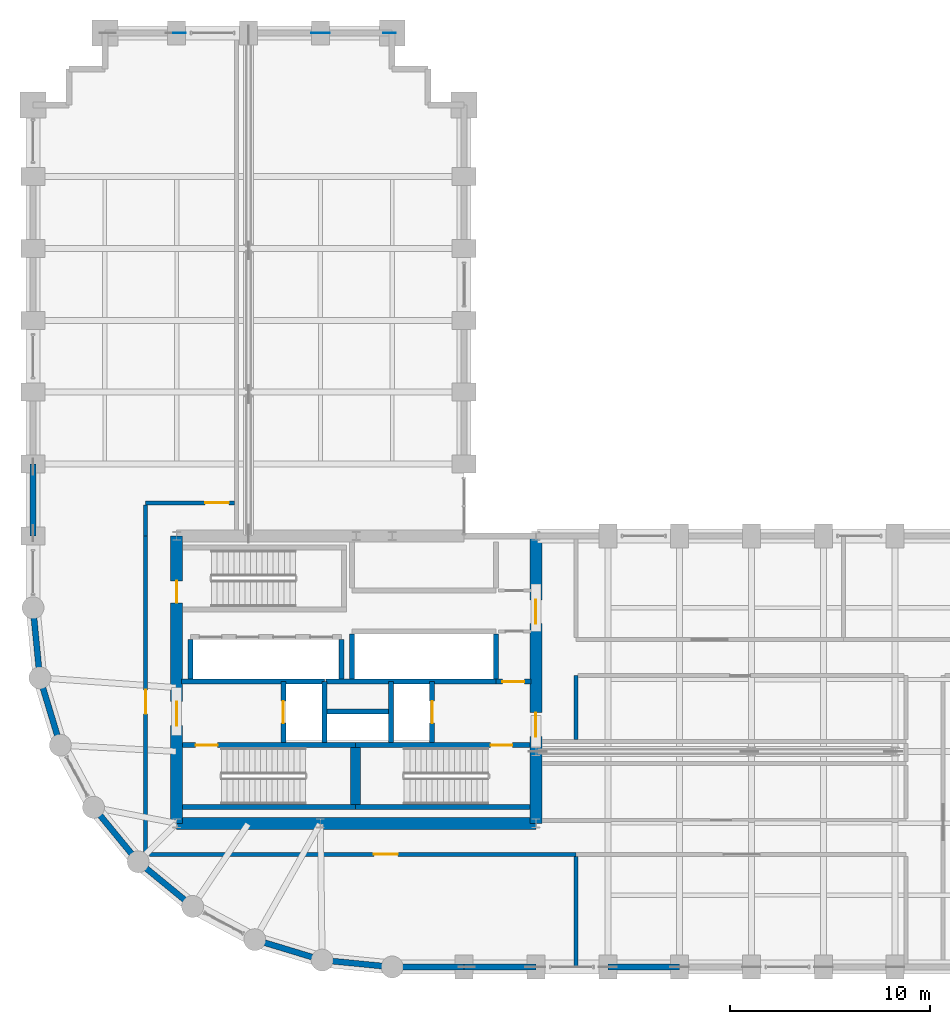
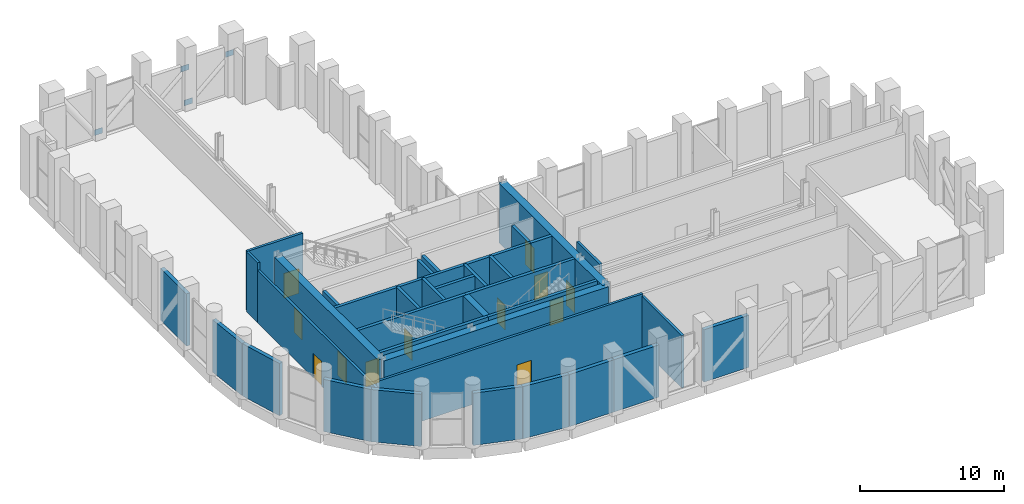
# One storey, part 24 of 27: 36 walls, 12 doors, 4 plates, 12 openings.
"""IFC4 building model written with IfcOpenShell, lengths in metres."""

from ifc_helpers import new_model, si_unit, direction, frame, frame_2d, origin, origin_2d, place, context, subcontext, project, spatial, rectangle, extrude, material, layer, layer_set, type_object, element, fill, save


model = new_model("IFC4")

# Units and contexts
model_context = context("Model", 3, precision=1e-05, world=origin(), true_north=direction((0.0, 1.0)))
body_context = subcontext(model_context, "Body", "Model", "MODEL_VIEW")
ifc_project = project(units=[si_unit("LENGTHUNIT", "METRE"), si_unit("AREAUNIT", "SQUARE_METRE"), si_unit("VOLUMEUNIT", "CUBIC_METRE"), si_unit("PLANEANGLEUNIT", "RADIAN"), si_unit("MASSUNIT", "GRAM", prefix="KILO")], contexts=[model_context])

# Site, building, storey
site_placement = place(None, origin())
site = spatial("IfcSite", under=ifc_project, at=site_placement, CompositionType="ELEMENT")
building_placement = place(site_placement, origin())
building = spatial("IfcBuilding", under=site, at=building_placement, Name="Solnavia Interchange Tower", CompositionType="ELEMENT")
storey_placement = place(building_placement, frame((0.0, 0.0, 74.699951171875)))
storey = spatial("IfcBuildingStorey", under=building, at=storey_placement, Name="L18", CompositionType="ELEMENT", Elevation=74.699951171875)

# Plates
ifc_material_1 = material(Name="Steel S460", Category="steel")
ifc_layer_1 = layer(ifc_material_1, 0.02490234375)
ifc_layer_set_1 = layer_set([ifc_layer_1], Name="Steel S460")
plate_type = type_object("IfcPlateType", Name="Plate-Gusset-640x480x25", PredefinedType="USERDEFINED", material=ifc_layer_set_1)
for number, where, z_axis, x_axis, name in (
    (1, (14.5400390625, 50.39990234375, 0.06005859375), (0.0, 0.0, 1.0), (1.0, 0.0, 0.0), "PLT-L18-GP43 Belt truss gusset plate"),
    (2, (21.4599609375, 50.39990234375, 3.010009765625), (0.0, 0.0, 1.0), (1.0, 0.0, 0.0), "PLT-L18-GP44 Belt truss gusset plate"),
    (3, (21.739990234375, 50.39990234375, 0.06005859375), (0.0, 0.0, 1.0), (1.0, 0.0, 0.0), "PLT-L18-GP45 Belt truss gusset plate"),
    (4, (25.06005859375, 50.39990234375, 3.010009765625), (0.0, 0.0, 1.0), (1.0, 0.0, 0.0), "PLT-L18-GP46 Belt truss gusset plate"),
):
    element("IfcPlate", number, at=place(storey_placement, frame(where, z_axis=z_axis, x_axis=x_axis)), inside=storey, type_object=plate_type, Name=name, ObjectType="GUSSET PLATE", PredefinedType="USERDEFINED", context=body_context, shape_type="SweptSolid", body=[
        extrude(rectangle(XDim=0.639892578125, YDim=0.02490234375, at=origin_2d()), origin(), (0.0, 0.0, 1.0), 0.47998046875),
    ])

# Walls
ifc_material_2 = material(Name="Concrete C40/50", Category="concrete")
ifc_layer_2 = layer(ifc_material_2, 0.300048828125)
ifc_layer_set_2 = layer_set([ifc_layer_2], Name="Concrete C40/50")
wall_type_1 = type_object("IfcWallType", Name="Wall-ExtSpandrel-300", PredefinedType="STANDARD", material=ifc_layer_set_2)
wall_1_placement = place(storey_placement, frame((28.800048828125, 3.60009765625, 0.0), z_axis=(0.0, 0.0, 1.0), x_axis=(-1.0, 0.0, 0.0)))
element("IfcWall", 5, at=wall_1_placement, inside=storey, type_object=wall_type_1, Name="EXW-L18-01 Exterior precast spandrel wall", PredefinedType="STANDARD", context=body_context, shape_type="SweptSolid", body=[
    extrude(rectangle(XDim=3.60009765625, YDim=0.300048828125, at=frame_2d((1.800048828125, 0.0))), origin(), (0.0, 0.0, 1.0), 4.429931640625),
])
wall_2_placement = place(storey_placement, frame((32.39990234375, 3.60009765625, 0.0), z_axis=(0.0, 0.0, 1.0), x_axis=(-1.0, 0.0, 0.0)))
element("IfcWall", 6, at=wall_2_placement, inside=storey, type_object=wall_type_1, Name="EXW-L18-02 Exterior precast spandrel wall", PredefinedType="STANDARD", context=body_context, shape_type="SweptSolid", body=[
    extrude(rectangle(XDim=3.599853515625, YDim=0.300048828125, at=frame_2d((1.7998046875, 0.0))), origin(), (0.0, 0.0, 1.0), 4.429931640625),
])
for number, where, z_axis, x_axis, name in (
    (7, (39.60009765625, 3.60009765625, 0.0), (0.0, 0.0, 1.0), (-1.0, 0.0, 0.0), "EXW-L18-04 Exterior precast spandrel wall"),
    (8, (7.199951171875, 25.199951171875, 0.0), (0.0, 0.0, 1.0), (0.0, 1.0, 0.0), "EXW-L18-53 Exterior precast spandrel wall"),
):
    element("IfcWall", number, at=place(storey_placement, frame(where, z_axis=z_axis, x_axis=x_axis)), inside=storey, type_object=wall_type_1, Name=name, PredefinedType="STANDARD", context=body_context, shape_type="SweptSolid", body=[
        extrude(rectangle(XDim=3.60009765625, YDim=0.300048828125, at=frame_2d((1.800048828125, 0.0))), origin(), (0.0, 0.0, 1.0), 4.429931640625),
    ])
wall_3_placement = place(storey_placement, frame((7.5458984375, 18.087890625, 0.0), z_axis=(0.0, 0.0, 1.0), x_axis=(-0.09802417461, 0.995184033831, 0.0)))
element("IfcWall", 9, at=wall_3_placement, inside=storey, type_object=wall_type_1, Name="EXW-L18-55 Exterior precast spandrel wall", PredefinedType="STANDARD", context=body_context, shape_type="SweptSolid", body=[
    extrude(rectangle(XDim=3.529296875, YDim=0.300048828125, at=frame_2d((1.7646484375, 0.0))), origin(), (0.0, 0.0, 1.0), 4.429931640625),
])
wall_4_placement = place(storey_placement, frame((8.570068359375, 14.7119140625, 0.0), z_axis=(0.0, 0.0, 1.0), x_axis=(-0.290305086481, 0.956934144423, 0.0)))
element("IfcWall", 10, at=wall_4_placement, inside=storey, type_object=wall_type_1, Name="EXW-L18-56 Exterior precast spandrel wall", PredefinedType="STANDARD", context=body_context, shape_type="SweptSolid", body=[
    extrude(rectangle(XDim=3.52783203125, YDim=0.300048828125, at=frame_2d((1.763916015625, 0.0))), origin(), (0.0, 0.0, 1.0), 4.429931640625),
])
for number, where, z_axis, x_axis, name in (
    (11, (12.471923828125, 8.8720703125, 0.0), (0.0, 0.0, 1.0), (-0.634258295121, 0.773121216285, 0.0), "EXW-L18-58 Exterior precast spandrel wall"),
    (12, (15.199951171875, 6.634033203125, 0.0), (0.0, 0.0, 1.0), (-0.773121216285, 0.634258295121, 0.0), "EXW-L18-59 Exterior precast spandrel wall"),
):
    element("IfcWall", number, at=place(storey_placement, frame(where, z_axis=z_axis, x_axis=x_axis)), inside=storey, type_object=wall_type_1, Name=name, PredefinedType="STANDARD", context=body_context, shape_type="SweptSolid", body=[
        extrude(rectangle(XDim=3.528564453125, YDim=0.300048828125, at=frame_2d((1.76416015625, 0.0))), origin(), (0.0, 0.0, 1.0), 4.429931640625),
    ])
wall_5_placement = place(storey_placement, frame((21.68798828125, 3.946044921875, 0.0), z_axis=(0.0, 0.0, 1.0), x_axis=(-0.956953367403, 0.290241714123, 0.0)))
element("IfcWall", 13, at=wall_5_placement, inside=storey, type_object=wall_type_1, Name="EXW-L18-61 Exterior precast spandrel wall", PredefinedType="STANDARD", context=body_context, shape_type="SweptSolid", body=[
    extrude(rectangle(XDim=3.52783203125, YDim=0.300048828125, at=frame_2d((1.763916015625, 0.0))), origin(), (0.0, 0.0, 1.0), 4.429931640625),
])
wall_6_placement = place(storey_placement, frame((25.199951171875, 3.60009765625, 0.0), z_axis=(0.0, 0.0, 1.0), x_axis=(-0.995183369056, 0.098030923459, 0.0)))
element("IfcWall", 14, at=wall_6_placement, inside=storey, type_object=wall_type_1, Name="EXW-L18-62 Exterior precast spandrel wall", PredefinedType="STANDARD", context=body_context, shape_type="SweptSolid", body=[
    extrude(rectangle(XDim=3.529052734375, YDim=0.300048828125, at=frame_2d((1.7646484375, 0.0))), origin(), (0.0, 0.0, 1.0), 4.429931640625),
])

# Wall, opening, door
ifc_layer_3 = layer(ifc_material_2, 0.199951171875)
ifc_layer_set_3 = layer_set([ifc_layer_3], Name="Concrete C40/50")
wall_type_2 = type_object("IfcWallType", Name="Wall-PlantFire-200", PredefinedType="PARTITIONING", material=ifc_layer_set_3)
wall_7_placement = place(storey_placement, frame((12.85009765625, 8.7158203125, 0.0), z_axis=(0.0, 0.0, 1.0), x_axis=(0.0, 1.0, 0.0)))
wall_7 = element("IfcWall", 15, at=wall_7_placement, inside=storey, type_object=wall_type_2, Name="PTW-L18-02 Interior partition wall", PredefinedType="PARTITIONING", context=body_context, shape_type="SweptSolid", body=[
    extrude(rectangle(XDim=16.484130859375, YDim=0.199951171875, at=frame_2d((8.2421875, 0.0))), origin(), (0.0, 0.0, 1.0), 4.429931640625),
])
opening_1_placement = place(wall_7_placement, frame((7.56494140625, 0.0, 0.0)))
opening_1 = element("IfcOpeningElement", 16, at=opening_1_placement, cuts=wall_7, Name="Opening DR-02", PredefinedType="OPENING", context=body_context, shape_type="SweptSolid", body=[
    extrude(rectangle(XDim=1.199951171875, YDim=2.10009765625, at=frame_2d((0.60009765625, 1.050048828125))), frame((0.0, 0.10986328125, 0.0), z_axis=(0.0, -1.0, 0.0), x_axis=(1.0, 0.0, 0.0)), (0.0, 0.0, 1.0), 0.219970703125),
])
ifc_material_3 = material(Name="Steel Fire-Rated Vision-Panel Door", Category="steel")
door_type_1 = type_object("IfcDoorType", Name="Door-LobbyFire-1200x2100", OperationType="SINGLE_SWING_RIGHT", PredefinedType="DOOR", material=ifc_material_3)
door_1_placement = place(opening_1_placement, origin())
door_1 = element("IfcDoor", 17, at=door_1_placement, inside=storey, type_object=door_type_1, Name="DR-L18-01 Interior room door", OperationType="SINGLE_SWING_LEFT", OverallHeight=2.10009765625, OverallWidth=1.199951171875, PredefinedType="DOOR", context=body_context, shape_type="SweptSolid", body=[
    extrude(rectangle(XDim=1.199951171875, YDim=2.10009765625, at=frame_2d((0.60009765625, 1.050048828125))), frame((0.0, 0.02490234375, 0.0), z_axis=(0.0, -1.0, 0.0), x_axis=(1.0, 0.0, 0.0)), (0.0, 0.0, 1.0), 0.050048828125),
])
fill(opening_1, door_1)

wall_8_placement = place(storey_placement, frame((12.85009765625, 26.85009765625, 0.0), z_axis=(0.0, 0.0, 1.0), x_axis=(1.0, 0.0, 0.0)))
wall_8 = element("IfcWall", 18, at=wall_8_placement, inside=storey, type_object=wall_type_2, Name="PTW-L18-03 Interior partition wall", PredefinedType="PARTITIONING", context=body_context, shape_type="SweptSolid", body=[
    extrude(rectangle(XDim=4.44580078125, YDim=0.199951171875, at=frame_2d((2.222900390625, 0.0))), origin(), (0.0, 0.0, 1.0), 5.06494140625),
])
opening_2_placement = place(wall_8_placement, frame((2.969970703125, 0.0, 0.0)))
opening_2 = element("IfcOpeningElement", 19, at=opening_2_placement, cuts=wall_8, Name="Opening DR-02", PredefinedType="OPENING", context=body_context, shape_type="SweptSolid", body=[
    extrude(rectangle(XDim=1.199951171875, YDim=2.10009765625, at=frame_2d((0.60009765625, 1.050048828125))), frame((0.0, 0.10986328125, 0.0), z_axis=(0.0, -1.0, 0.0), x_axis=(1.0, 0.0, 0.0)), (0.0, 0.0, 1.0), 0.219970703125),
])
door_2_placement = place(opening_2_placement, origin())
door_2 = element("IfcDoor", 20, at=door_2_placement, inside=storey, type_object=door_type_1, Name="DR-L18-02 Interior room door", OperationType="SINGLE_SWING_RIGHT", OverallHeight=2.10009765625, OverallWidth=1.199951171875, PredefinedType="DOOR", context=body_context, shape_type="SweptSolid", body=[
    extrude(rectangle(XDim=1.199951171875, YDim=2.10009765625, at=frame_2d((0.60009765625, 1.050048828125))), frame((0.0, 0.02490234375, 0.0), z_axis=(0.0, -1.0, 0.0), x_axis=(1.0, 0.0, 0.0)), (0.0, 0.0, 1.0), 0.050048828125),
])
fill(opening_2, door_2)

# Wall
wall_9_placement = place(storey_placement, frame((12.85009765625, 25.199951171875, 0.0), z_axis=(0.0, 0.0, 1.0), x_axis=(0.0, 1.0, 0.0)))
element("IfcWall", 21, at=wall_9_placement, inside=storey, type_object=wall_type_2, Name="PTW-L18-04 Interior partition wall", PredefinedType="PARTITIONING", context=body_context, shape_type="SweptSolid", body=[
    extrude(rectangle(XDim=1.546142578125, YDim=0.199951171875, at=frame_2d((0.77294921875, 0.0))), origin(), (0.0, 0.0, 1.0), 5.06494140625),
])

# Wall, opening, door
wall_10_placement = place(storey_placement, frame((13.030029296875, 9.25, 0.0), z_axis=(0.0, 0.0, 1.0), x_axis=(1.0, 0.0, 0.0)))
wall_10 = element("IfcWall", 22, at=wall_10_placement, inside=storey, type_object=wall_type_2, Name="PTW-L18-09 Interior partition wall", PredefinedType="PARTITIONING", context=body_context, shape_type="SweptSolid", body=[
    extrude(rectangle(XDim=21.369873046875, YDim=0.199951171875, at=frame_2d((10.68505859375, 0.0))), origin(), (0.0, 0.0, 1.0), 4.610107421875),
])
opening_3_placement = place(wall_10_placement, frame((11.248046875, 0.0, 0.0)))
opening_3 = element("IfcOpeningElement", 23, at=opening_3_placement, cuts=wall_10, Name="Opening DR-02", PredefinedType="OPENING", context=body_context, shape_type="SweptSolid", body=[
    extrude(rectangle(XDim=1.199951171875, YDim=2.10009765625, at=frame_2d((0.60009765625, 1.050048828125))), frame((0.0, 0.10986328125, 0.0), z_axis=(0.0, -1.0, 0.0), x_axis=(1.0, 0.0, 0.0)), (0.0, 0.0, 1.0), 0.219970703125),
])
door_3_placement = place(opening_3_placement, origin())
door_3 = element("IfcDoor", 24, at=door_3_placement, inside=storey, type_object=door_type_1, Name="DR-L18-03 Interior room door", OperationType="SINGLE_SWING_RIGHT", OverallHeight=2.10009765625, OverallWidth=1.199951171875, PredefinedType="DOOR", context=body_context, shape_type="SweptSolid", body=[
    extrude(rectangle(XDim=1.199951171875, YDim=2.10009765625, at=frame_2d((0.60009765625, 1.050048828125))), frame((0.0, 0.02490234375, 0.0), z_axis=(0.0, -1.0, 0.0), x_axis=(1.0, 0.0, 0.0)), (0.0, 0.0, 1.0), 0.050048828125),
])
fill(opening_3, door_3)

# Walls
wall_11_placement = place(storey_placement, frame((34.39990234375, 3.60009765625, 0.0), z_axis=(0.0, 0.0, 1.0), x_axis=(0.0, 1.0, 0.0)))
element("IfcWall", 25, at=wall_11_placement, inside=storey, type_object=wall_type_2, Name="PTW-L18-10 Interior partition wall", PredefinedType="PARTITIONING", context=body_context, shape_type="SweptSolid", body=[
    extrude(rectangle(XDim=5.5458984375, YDim=0.199951171875, at=frame_2d((2.77294921875, 0.0))), origin(), (0.0, 0.0, 1.0), 4.429931640625),
])
wall_12_placement = place(storey_placement, frame((34.39990234375, 15.00390625, 0.0), z_axis=(0.0, 0.0, 1.0), x_axis=(0.0, 1.0, 0.0)))
element("IfcWall", 26, at=wall_12_placement, inside=storey, type_object=wall_type_2, Name="PTW-L18-15 Interior partition wall", PredefinedType="PARTITIONING", context=body_context, shape_type="SweptSolid", body=[
    extrude(rectangle(XDim=3.196044921875, YDim=0.199951171875, at=frame_2d((1.59814453125, 0.0))), origin(), (0.0, 0.0, 1.0), 3.580078125),
])
ifc_layer_4 = layer(ifc_material_2, 0.25)
ifc_layer_set_4 = layer_set([ifc_layer_4], Name="Concrete C40/50")
wall_type_3 = type_object("IfcWallType", Name="Wall-ShaftCore-250", PredefinedType="SHEAR", material=ifc_layer_set_4)
wall_13_placement = place(storey_placement, frame((14.699951171875, 11.625, 0.0), z_axis=(0.0, 0.0, 1.0), x_axis=(1.0, 0.0, 0.0)))
element("IfcWall", 27, at=wall_13_placement, inside=storey, type_object=wall_type_3, Name="SHW-L18-ST1S Core shear wall", PredefinedType="SHEAR", context=body_context, shape_type="SweptSolid", body=[
    extrude(rectangle(XDim=8.650146484375, YDim=0.25, at=frame_2d((4.3251953125, 0.0))), origin(), (0.0, 0.0, 1.0), 5.080078125),
])

# Wall, opening, door
wall_14_placement = place(storey_placement, frame((14.699951171875, 14.715087890625, 0.0), z_axis=(0.0, 0.0, 1.0), x_axis=(1.0, 0.0, 0.0)))
wall_14 = element("IfcWall", 28, at=wall_14_placement, inside=storey, type_object=wall_type_3, Name="SHW-L18-ST1N Core shear wall", PredefinedType="SHEAR", context=body_context, shape_type="SweptSolid", body=[
    extrude(rectangle(XDim=8.650146484375, YDim=0.25, at=frame_2d((4.3251953125, 0.0))), origin(), (0.0, 0.0, 1.0), 5.080078125),
])
opening_4_placement = place(wall_14_placement, frame((0.655029296875, 0.0, 0.0)))
opening_4 = element("IfcOpeningElement", 29, at=opening_4_placement, cuts=wall_14, Name="Opening DR-01", PredefinedType="OPENING", context=body_context, shape_type="SweptSolid", body=[
    extrude(rectangle(XDim=1.10009765625, YDim=2.10009765625, at=frame_2d((0.550048828125, 1.050048828125))), frame((0.0, 0.135009765625, 0.0), z_axis=(0.0, -1.0, 0.0), x_axis=(1.0, 0.0, 0.0)), (0.0, 0.0, 1.0), 0.27001953125),
])
ifc_material_4 = material(Name="Steel Fire-Rated Leaf & Frame", Category="steel")
door_type_2 = type_object("IfcDoorType", Name="Door-StairFire-1100x2100", OperationType="SINGLE_SWING_LEFT", PredefinedType="DOOR", material=ifc_material_4)
door_4_placement = place(opening_4_placement, origin())
door_4 = element("IfcDoor", 30, at=door_4_placement, inside=storey, type_object=door_type_2, Name="DR-L18-ST1 Core fire door", OperationType="SINGLE_SWING_LEFT", OverallHeight=2.10009765625, OverallWidth=1.10009765625, PredefinedType="DOOR", context=body_context, shape_type="SweptSolid", body=[
    extrude(rectangle(XDim=1.10009765625, YDim=2.10009765625, at=frame_2d((0.550048828125, 1.050048828125))), frame((0.0, 0.02490234375, 0.0), z_axis=(0.0, -1.0, 0.0), x_axis=(1.0, 0.0, 0.0)), (0.0, 0.0, 1.0), 0.050048828125),
])
fill(opening_4, door_4)

# Wall
wall_15_placement = place(storey_placement, frame((23.35009765625, 11.625, 0.0), z_axis=(0.0, 0.0, 1.0), x_axis=(1.0, 0.0, 0.0)))
element("IfcWall", 31, at=wall_15_placement, inside=storey, type_object=wall_type_3, Name="SHW-L18-ST2S Core shear wall", PredefinedType="SHEAR", context=body_context, shape_type="SweptSolid", body=[
    extrude(rectangle(XDim=8.75, YDim=0.25, at=frame_2d((4.375, 0.0))), origin(), (0.0, 0.0, 1.0), 5.080078125),
])

# Wall, opening, door
wall_16_placement = place(storey_placement, frame((23.35009765625, 14.715087890625, 0.0), z_axis=(0.0, 0.0, 1.0), x_axis=(1.0, 0.0, 0.0)))
wall_16 = element("IfcWall", 32, at=wall_16_placement, inside=storey, type_object=wall_type_3, Name="SHW-L18-ST2N Core shear wall", PredefinedType="SHEAR", context=body_context, shape_type="SweptSolid", body=[
    extrude(rectangle(XDim=8.75, YDim=0.25, at=frame_2d((4.375, 0.0))), origin(), (0.0, 0.0, 1.0), 5.080078125),
])
opening_5_placement = place(wall_16_placement, frame((6.77490234375, 0.0, 0.0)))
opening_5 = element("IfcOpeningElement", 33, at=opening_5_placement, cuts=wall_16, Name="Opening DR-01", PredefinedType="OPENING", context=body_context, shape_type="SweptSolid", body=[
    extrude(rectangle(XDim=1.10009765625, YDim=2.10009765625, at=frame_2d((0.550048828125, 1.050048828125))), frame((0.0, 0.135009765625, 0.0), z_axis=(0.0, -1.0, 0.0), x_axis=(1.0, 0.0, 0.0)), (0.0, 0.0, 1.0), 0.27001953125),
])
door_5_placement = place(opening_5_placement, origin())
door_5 = element("IfcDoor", 34, at=door_5_placement, inside=storey, type_object=door_type_2, Name="DR-L18-ST2 Core fire door", OperationType="SINGLE_SWING_LEFT", OverallHeight=2.10009765625, OverallWidth=1.10009765625, PredefinedType="DOOR", context=body_context, shape_type="SweptSolid", body=[
    extrude(rectangle(XDim=1.10009765625, YDim=2.10009765625, at=frame_2d((0.550048828125, 1.050048828125))), frame((0.0, 0.02490234375, 0.0), z_axis=(0.0, -1.0, 0.0), x_axis=(1.0, 0.0, 0.0)), (0.0, 0.0, 1.0), 0.050048828125),
])
fill(opening_5, door_5)

# Wall
ifc_layer_5 = layer(ifc_material_2, 0.25)
ifc_layer_set_5 = layer_set([ifc_layer_5], Name="Concrete C40/50")
wall_type_4 = type_object("IfcWallType", Name="Wall-ShaftPart-250", PredefinedType="PARTITIONING", material=ifc_layer_set_5)
wall_17_placement = place(storey_placement, frame((14.64990234375, 17.89990234375, 0.0), z_axis=(0.0, 0.0, 1.0), x_axis=(1.0, 0.0, 0.0)))
element("IfcWall", 35, at=wall_17_placement, inside=storey, type_object=wall_type_4, Name="SHW-L18-FFLW-N Core shaft wall", PredefinedType="PARTITIONING", context=body_context, shape_type="SweptSolid", body=[
    extrude(rectangle(XDim=7.150146484375, YDim=0.25, at=frame_2d((3.5751953125, 0.0))), origin(), (0.0, 0.0, 1.0), 5.06494140625),
])

# Wall, opening, door
wall_18_placement = place(storey_placement, frame((19.75, 14.840087890625, 0.0), z_axis=(0.0, 0.0, 1.0), x_axis=(0.0, 1.0, 0.0)))
wall_18 = element("IfcWall", 36, at=wall_18_placement, inside=storey, type_object=wall_type_4, Name="SHW-L18-FFL1-W Core shaft wall", PredefinedType="PARTITIONING", context=body_context, shape_type="SweptSolid", body=[
    extrude(rectangle(XDim=3.059814453125, YDim=0.25, at=frame_2d((1.52978515625, 0.0))), origin(), (0.0, 0.0, 1.0), 5.06494140625),
])
opening_6_placement = place(wall_18_placement, frame((0.97998046875, 0.0, 0.0)))
opening_6 = element("IfcOpeningElement", 37, at=opening_6_placement, cuts=wall_18, Name="Opening LD-01", PredefinedType="OPENING", context=body_context, shape_type="SweptSolid", body=[
    extrude(rectangle(XDim=1.10009765625, YDim=2.10009765625, at=frame_2d((0.550048828125, 1.050048828125))), frame((0.0, 0.135009765625, 0.0), z_axis=(0.0, -1.0, 0.0), x_axis=(1.0, 0.0, 0.0)), (0.0, 0.0, 1.0), 0.27001953125),
])
ifc_material_5 = material(Name="Brushed Stainless Steel Sliding Door", Category="steel")
door_type_3 = type_object("IfcDoorType", Name="Door-LiftLanding-1100x2100", OperationType="SLIDING_TO_LEFT", PredefinedType="DOOR", material=ifc_material_5)
door_6_placement = place(opening_6_placement, origin())
door_6 = element("IfcDoor", 38, at=door_6_placement, inside=storey, type_object=door_type_3, Name="LD-L18-FFL1 Lift landing sliding door", OperationType="SLIDING_TO_LEFT", OverallHeight=2.10009765625, OverallWidth=1.10009765625, PredefinedType="DOOR", context=body_context, shape_type="SweptSolid", body=[
    extrude(rectangle(XDim=1.10009765625, YDim=2.10009765625, at=frame_2d((0.550048828125, 1.050048828125))), frame((0.0, 0.02490234375, 0.0), z_axis=(0.0, -1.0, 0.0), x_axis=(1.0, 0.0, 0.0)), (0.0, 0.0, 1.0), 0.050048828125),
])
fill(opening_6, door_6)

# Walls
wall_19_placement = place(storey_placement, frame((21.800048828125, 14.840087890625, 0.0), z_axis=(0.0, 0.0, 1.0), x_axis=(0.0, 1.0, 0.0)))
element("IfcWall", 39, at=wall_19_placement, inside=storey, type_object=wall_type_4, Name="SHW-L18-FFL1-E Core shaft wall", PredefinedType="PARTITIONING", context=body_context, shape_type="SweptSolid", body=[
    extrude(rectangle(XDim=3.059814453125, YDim=0.25, at=frame_2d((1.52978515625, 0.0))), origin(), (0.0, 0.0, 1.0), 5.06494140625),
])
wall_20_placement = place(storey_placement, frame((21.8798828125, 17.89990234375, 0.0), z_axis=(0.0, 0.0, 1.0), x_axis=(1.0, 0.0, 0.0)))
element("IfcWall", 40, at=wall_20_placement, inside=storey, type_object=wall_type_4, Name="SHW-L18-FFLE-N1 Core shaft wall", PredefinedType="PARTITIONING", context=body_context, shape_type="SweptSolid", body=[
    extrude(rectangle(XDim=8.52001953125, YDim=0.25, at=frame_2d((4.260009765625, 0.0))), origin(), (0.0, 0.0, 1.0), 5.06494140625),
])

# Wall, opening, door
wall_21_placement = place(storey_placement, frame((30.39990234375, 17.89990234375, 0.0), z_axis=(0.0, 0.0, 1.0), x_axis=(1.0, 0.0, 0.0)))
wall_21 = element("IfcWall", 41, at=wall_21_placement, inside=storey, type_object=wall_type_4, Name="SHW-L18-FFLE-N2 Core shaft wall", PredefinedType="PARTITIONING", context=body_context, shape_type="SweptSolid", body=[
    extrude(rectangle(XDim=1.75, YDim=0.25, at=frame_2d((0.875, 0.0))), origin(), (0.0, 0.0, 1.0), 5.06494140625),
])
opening_7_placement = place(wall_21_placement, frame((0.320068359375, 0.0, 0.0)))
opening_7 = element("IfcOpeningElement", 42, at=opening_7_placement, cuts=wall_21, Name="Opening DR-01", PredefinedType="OPENING", context=body_context, shape_type="SweptSolid", body=[
    extrude(rectangle(XDim=1.10009765625, YDim=2.10009765625, at=frame_2d((0.550048828125, 1.050048828125))), frame((0.0, 0.135009765625, 0.0), z_axis=(0.0, -1.0, 0.0), x_axis=(1.0, 0.0, 0.0)), (0.0, 0.0, 1.0), 0.27001953125),
])
door_7_placement = place(opening_7_placement, origin())
door_7 = element("IfcDoor", 43, at=door_7_placement, inside=storey, type_object=door_type_2, Name="DR-L18-LLC Core fire door", OperationType="SINGLE_SWING_LEFT", OverallHeight=2.10009765625, OverallWidth=1.10009765625, PredefinedType="DOOR", context=body_context, shape_type="SweptSolid", body=[
    extrude(rectangle(XDim=1.10009765625, YDim=2.10009765625, at=frame_2d((0.550048828125, 1.050048828125))), frame((0.0, 0.02490234375, 0.0), z_axis=(0.0, -1.0, 0.0), x_axis=(1.0, 0.0, 0.0)), (0.0, 0.0, 1.0), 0.050048828125),
])
fill(opening_7, door_7)

# Wall
wall_22_placement = place(storey_placement, frame((25.14990234375, 14.840087890625, 0.0), z_axis=(0.0, 0.0, 1.0), x_axis=(0.0, 1.0, 0.0)))
element("IfcWall", 44, at=wall_22_placement, inside=storey, type_object=wall_type_4, Name="SHW-L18-FFL2-W Core shaft wall", PredefinedType="PARTITIONING", context=body_context, shape_type="SweptSolid", body=[
    extrude(rectangle(XDim=3.059814453125, YDim=0.25, at=frame_2d((1.52978515625, 0.0))), origin(), (0.0, 0.0, 1.0), 5.06494140625),
])

# Wall, opening, door
wall_23_placement = place(storey_placement, frame((27.199951171875, 14.840087890625, 0.0), z_axis=(0.0, 0.0, 1.0), x_axis=(0.0, 1.0, 0.0)))
wall_23 = element("IfcWall", 45, at=wall_23_placement, inside=storey, type_object=wall_type_4, Name="SHW-L18-FFL2-E Core shaft wall", PredefinedType="PARTITIONING", context=body_context, shape_type="SweptSolid", body=[
    extrude(rectangle(XDim=3.059814453125, YDim=0.25, at=frame_2d((1.52978515625, 0.0))), origin(), (0.0, 0.0, 1.0), 5.06494140625),
])
opening_8_placement = place(wall_23_placement, frame((0.97998046875, 0.0, 0.0)))
opening_8 = element("IfcOpeningElement", 46, at=opening_8_placement, cuts=wall_23, Name="Opening LD-01", PredefinedType="OPENING", context=body_context, shape_type="SweptSolid", body=[
    extrude(rectangle(XDim=1.10009765625, YDim=2.10009765625, at=frame_2d((0.550048828125, 1.050048828125))), frame((0.0, 0.135009765625, 0.0), z_axis=(0.0, -1.0, 0.0), x_axis=(1.0, 0.0, 0.0)), (0.0, 0.0, 1.0), 0.27001953125),
])
door_8_placement = place(opening_8_placement, origin())
door_8 = element("IfcDoor", 47, at=door_8_placement, inside=storey, type_object=door_type_3, Name="LD-L18-FFL2 Lift landing sliding door", OperationType="SLIDING_TO_LEFT", OverallHeight=2.10009765625, OverallWidth=1.10009765625, PredefinedType="DOOR", context=body_context, shape_type="SweptSolid", body=[
    extrude(rectangle(XDim=1.10009765625, YDim=2.10009765625, at=frame_2d((0.550048828125, 1.050048828125))), frame((0.0, 0.02490234375, 0.0), z_axis=(0.0, -1.0, 0.0), x_axis=(1.0, 0.0, 0.0)), (0.0, 0.0, 1.0), 0.050048828125),
])
fill(opening_8, door_8)

# Walls
wall_24_placement = place(storey_placement, frame((21.800048828125, 16.39990234375, 0.0), z_axis=(0.0, 0.0, 1.0), x_axis=(1.0, 0.0, 0.0)))
element("IfcWall", 48, at=wall_24_placement, inside=storey, type_object=wall_type_4, Name="SHW-L18-MEP-N Core shaft wall", PredefinedType="PARTITIONING", context=body_context, shape_type="SweptSolid", body=[
    extrude(rectangle(XDim=3.349853515625, YDim=0.25, at=frame_2d((1.6748046875, 0.0))), origin(), (0.0, 0.0, 1.0), 5.06494140625),
])
for number, where, z_axis, x_axis, name in (
    (49, (15.10009765625, 18.02490234375, 0.0), (0.0, 0.0, 1.0), (0.0, 1.0, 0.0), "SHW-L18-B1W Core shaft wall"),
    (50, (22.64990234375, 18.02490234375, 0.0), (0.0, 0.0, 1.0), (0.0, 1.0, 0.0), "SHW-L18-B1E Core shaft wall"),
):
    element("IfcWall", number, at=place(storey_placement, frame(where, z_axis=z_axis, x_axis=x_axis)), inside=storey, type_object=wall_type_4, Name=name, PredefinedType="PARTITIONING", context=body_context, shape_type="SweptSolid", body=[
        extrude(rectangle(XDim=1.97509765625, YDim=0.25, at=frame_2d((0.987548828125, 0.0))), origin(), (0.0, 0.0, 1.0), 5.06494140625),
    ])
for number, where, z_axis, x_axis, name in (
    (51, (23.179931640625, 18.02490234375, 0.0), (0.0, 0.0, 1.0), (0.0, 1.0, 0.0), "SHW-L18-B2W Core shaft wall"),
    (52, (30.39990234375, 18.02490234375, 0.0), (0.0, 0.0, 1.0), (0.0, 1.0, 0.0), "SHW-L18-B2E Core shaft wall"),
):
    element("IfcWall", number, at=place(storey_placement, frame(where, z_axis=z_axis, x_axis=x_axis)), inside=storey, type_object=wall_type_4, Name=name, PredefinedType="PARTITIONING", context=body_context, shape_type="SweptSolid", body=[
        extrude(rectangle(XDim=2.27001953125, YDim=0.25, at=frame_2d((1.135009765625, 0.0))), origin(), (0.0, 0.0, 1.0), 5.06494140625),
    ])
ifc_material_6 = material(Name="Concrete C60/75", Category="concrete")
ifc_layer_6 = layer(ifc_material_6, 0.5)
ifc_layer_set_6 = layer_set([ifc_layer_6], Name="Concrete C60/75")
wall_type_5 = type_object("IfcWallType", Name="Wall-ShearCore-500", PredefinedType="SHEAR", material=ifc_layer_set_6)
wall_25_placement = place(storey_placement, frame((23.35009765625, 11.75, 0.0), z_axis=(0.0, 0.0, 1.0), x_axis=(0.0, 1.0, 0.0)))
element("IfcWall", 53, at=wall_25_placement, inside=storey, type_object=wall_type_5, Name="SHW-L18-ST12M Core shear wall", PredefinedType="SHEAR", context=body_context, shape_type="SweptSolid", body=[
    extrude(rectangle(XDim=2.840087890625, YDim=0.5, at=frame_2d((1.419921875, 0.0))), origin(), (0.0, 0.0, 1.0), 5.080078125),
])
ifc_layer_7 = layer(ifc_material_6, 0.60009765625)
ifc_layer_set_7 = layer_set([ifc_layer_7], Name="Concrete C60/75")
wall_type_6 = type_object("IfcWallType", Name="Wall-ShearCore-600", PredefinedType="SHEAR", material=ifc_layer_set_7)
wall_26_placement = place(storey_placement, frame((14.39990234375, 10.800048828125, 0.0), z_axis=(0.0, 0.0, 1.0), x_axis=(1.0, 0.0, 0.0)))
element("IfcWall", 54, at=wall_26_placement, inside=storey, type_object=wall_type_6, Name="CRW-L18-S Core shear wall", PredefinedType="SHEAR", context=body_context, shape_type="SweptSolid", body=[
    extrude(rectangle(XDim=18.0, YDim=0.60009765625, at=frame_2d((9.0, 0.0))), origin(), (0.0, 0.0, 1.0), 5.080078125),
])

# Wall, openings, doors
wall_27_placement = place(storey_placement, frame((14.39990234375, 10.800048828125, 0.0), z_axis=(0.0, 0.0, 1.0), x_axis=(0.0, 1.0, 0.0)))
wall_27 = element("IfcWall", 55, at=wall_27_placement, inside=storey, type_object=wall_type_6, Name="CRW-L18-W Core shear wall", PredefinedType="SHEAR", context=body_context, shape_type="SweptSolid", body=[
    extrude(rectangle(XDim=14.39990234375, YDim=0.60009765625, at=frame_2d((7.199951171875, 0.0))), origin(), (0.0, 0.0, 1.0), 5.080078125),
])
opening_9_placement = place(wall_27_placement, frame((11.050048828125, 0.0, 0.0)))
opening_9 = element("IfcOpeningElement", 56, at=opening_9_placement, cuts=wall_27, Name="Opening DR-01", PredefinedType="OPENING", context=body_context, shape_type="SweptSolid", body=[
    extrude(rectangle(XDim=1.10009765625, YDim=2.10009765625, at=frame_2d((0.550048828125, 1.050048828125))), frame((0.0, 0.31005859375, 0.0), z_axis=(0.0, -1.0, 0.0), x_axis=(1.0, 0.0, 0.0)), (0.0, 0.0, 1.0), 0.6201171875),
])
opening_10_placement = place(wall_27_placement, frame((4.89990234375, 0.0, 0.0)))
opening_10 = element("IfcOpeningElement", 57, at=opening_10_placement, cuts=wall_27, Name="Opening DR-02", PredefinedType="OPENING", context=body_context, shape_type="SweptSolid", body=[
    extrude(rectangle(XDim=1.199951171875, YDim=2.10009765625, at=frame_2d((0.60009765625, 1.050048828125))), frame((0.0, 0.31005859375, 0.0), z_axis=(0.0, -1.0, 0.0), x_axis=(1.0, 0.0, 0.0)), (0.0, 0.0, 1.0), 0.6201171875),
])
door_9_placement = place(opening_10_placement, origin())
door_9 = element("IfcDoor", 58, at=door_9_placement, inside=storey, type_object=door_type_1, Name="DR-L18-FFL1W Core fire door", OperationType="SINGLE_SWING_RIGHT", OverallHeight=2.10009765625, OverallWidth=1.199951171875, PredefinedType="DOOR", context=body_context, shape_type="SweptSolid", body=[
    extrude(rectangle(XDim=1.199951171875, YDim=2.10009765625, at=frame_2d((0.60009765625, 1.050048828125))), frame((0.0, 0.02490234375, 0.0), z_axis=(0.0, -1.0, 0.0), x_axis=(1.0, 0.0, 0.0)), (0.0, 0.0, 1.0), 0.050048828125),
])
fill(opening_10, door_9)
door_10_placement = place(opening_9_placement, origin())
door_10 = element("IfcDoor", 59, at=door_10_placement, inside=storey, type_object=door_type_2, Name="DR-L18-ST3 Core fire door", OperationType="SINGLE_SWING_RIGHT", OverallHeight=2.10009765625, OverallWidth=1.10009765625, PredefinedType="DOOR", context=body_context, shape_type="SweptSolid", body=[
    extrude(rectangle(XDim=1.10009765625, YDim=2.10009765625, at=frame_2d((0.550048828125, 1.050048828125))), frame((0.0, 0.02490234375, 0.0), z_axis=(0.0, -1.0, 0.0), x_axis=(1.0, 0.0, 0.0)), (0.0, 0.0, 1.0), 0.050048828125),
])
fill(opening_9, door_10)

wall_28_placement = place(storey_placement, frame((32.39990234375, 10.800048828125, 0.0), z_axis=(0.0, 0.0, 1.0), x_axis=(0.0, 1.0, 0.0)))
wall_28 = element("IfcWall", 60, at=wall_28_placement, inside=storey, type_object=wall_type_6, Name="CRW-L18-E Core shear wall", PredefinedType="SHEAR", context=body_context, shape_type="SweptSolid", body=[
    extrude(rectangle(XDim=14.39990234375, YDim=0.60009765625, at=frame_2d((7.199951171875, 0.0))), origin(), (0.0, 0.0, 1.0), 5.080078125),
])
opening_11_placement = place(wall_28_placement, frame((4.35009765625, 0.0, 0.0)))
opening_11 = element("IfcOpeningElement", 61, at=opening_11_placement, cuts=wall_28, Name="Opening DR-02", PredefinedType="OPENING", context=body_context, shape_type="SweptSolid", body=[
    extrude(rectangle(XDim=1.199951171875, YDim=2.10009765625, at=frame_2d((0.60009765625, 1.050048828125))), frame((0.0, 0.31005859375, 0.0), z_axis=(0.0, -1.0, 0.0), x_axis=(1.0, 0.0, 0.0)), (0.0, 0.0, 1.0), 0.6201171875),
])
opening_12_placement = place(wall_28_placement, frame((10.0, 0.0, 0.0)))
opening_12 = element("IfcOpeningElement", 62, at=opening_12_placement, cuts=wall_28, Name="Opening DR-02", PredefinedType="OPENING", context=body_context, shape_type="SweptSolid", body=[
    extrude(rectangle(XDim=1.199951171875, YDim=2.10009765625, at=frame_2d((0.60009765625, 1.050048828125))), frame((0.0, 0.31005859375, 0.0), z_axis=(0.0, -1.0, 0.0), x_axis=(1.0, 0.0, 0.0)), (0.0, 0.0, 1.0), 0.6201171875),
])
door_11_placement = place(opening_11_placement, origin())
door_11 = element("IfcDoor", 63, at=door_11_placement, inside=storey, type_object=door_type_1, Name="DR-L18-FFL2E Core fire door", OperationType="SINGLE_SWING_LEFT", OverallHeight=2.10009765625, OverallWidth=1.199951171875, PredefinedType="DOOR", context=body_context, shape_type="SweptSolid", body=[
    extrude(rectangle(XDim=1.199951171875, YDim=2.10009765625, at=frame_2d((0.60009765625, 1.050048828125))), frame((0.0, 0.02490234375, 0.0), z_axis=(0.0, -1.0, 0.0), x_axis=(1.0, 0.0, 0.0)), (0.0, 0.0, 1.0), 0.050048828125),
])
fill(opening_11, door_11)
door_12_placement = place(opening_12_placement, origin())
door_12 = element("IfcDoor", 64, at=door_12_placement, inside=storey, type_object=door_type_1, Name="DR-L18-LLE Core fire door", OperationType="SINGLE_SWING_RIGHT", OverallHeight=2.10009765625, OverallWidth=1.199951171875, PredefinedType="DOOR", context=body_context, shape_type="SweptSolid", body=[
    extrude(rectangle(XDim=1.199951171875, YDim=2.10009765625, at=frame_2d((0.60009765625, 1.050048828125))), frame((0.0, 0.02490234375, 0.0), z_axis=(0.0, -1.0, 0.0), x_axis=(1.0, 0.0, 0.0)), (0.0, 0.0, 1.0), 0.050048828125),
])
fill(opening_12, door_12)

save(model, "model.ifc")
